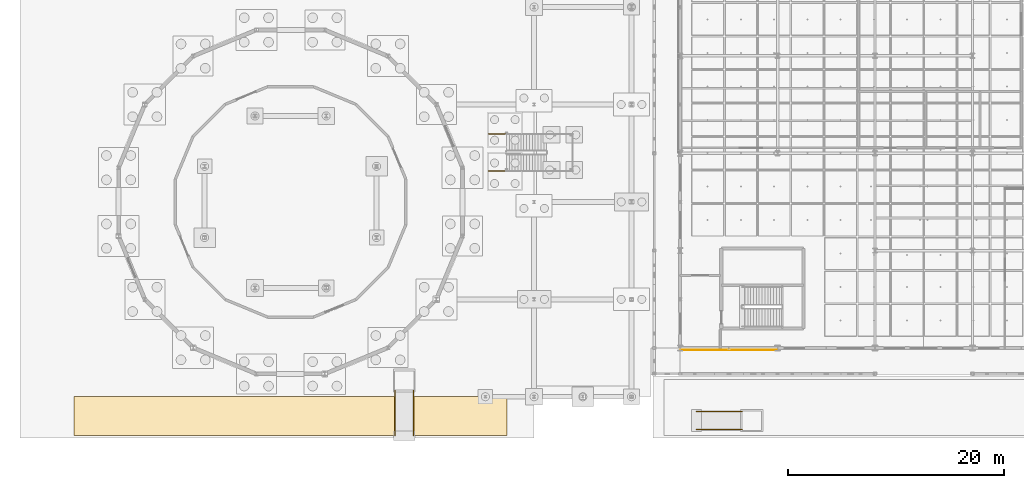
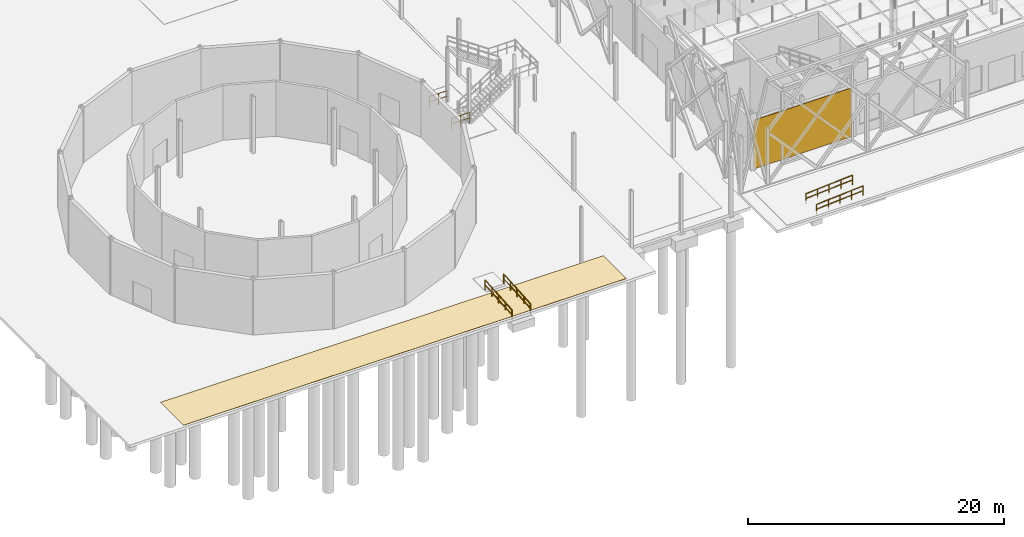
# One storey, part 161 of 180: 6 railings, 2 coverings.
"""IFC4 building model written with IfcOpenShell, lengths in metres."""

from ifc_helpers import new_model, si_unit, direction, frame, origin, origin_2d, place, context, subcontext, project, spatial, rectangle, circle, extrude, material, layer, layer_set, type_object, element, save


model = new_model("IFC4")

# Units and contexts
model_context = context("Model", 3, precision=1e-05, world=origin(), true_north=direction((0.0, 1.0)))
body_context = subcontext(model_context, "Body", "Model", "MODEL_VIEW")
ifc_project = project(units=[si_unit("LENGTHUNIT", "METRE"), si_unit("AREAUNIT", "SQUARE_METRE"), si_unit("VOLUMEUNIT", "CUBIC_METRE"), si_unit("PLANEANGLEUNIT", "RADIAN"), si_unit("MASSUNIT", "GRAM", prefix="KILO"), si_unit("THERMODYNAMICTEMPERATUREUNIT", "KELVIN"), si_unit("POWERUNIT", "WATT")], contexts=[model_context])

# Site, building, storey
site_placement = place(None, origin())
site = spatial("IfcSite", under=ifc_project, at=site_placement, CompositionType="ELEMENT")
building_placement = place(site_placement, origin())
building = spatial("IfcBuilding", under=site, at=building_placement, Name="Tallowbark Science Centre", CompositionType="ELEMENT")
storey_placement = place(building_placement, origin())
storey = spatial("IfcBuildingStorey", under=building, at=storey_placement, Name="L00", CompositionType="ELEMENT", Elevation=0.0)

# Coverings
ifc_material_1 = material(Name="Honed Hawkesbury Sandstone Civic Paving", Category="masonry")
ifc_layer_1 = layer(ifc_material_1, 0.0400390625)
ifc_layer_set_1 = layer_set([ifc_layer_1], Name="Honed Hawkesbury Sandstone Civic Paving")
covering_type_1 = type_object("IfcCoveringType", Name="COV-STN-PAV", PredefinedType="FLOORING", material=ifc_layer_set_1)
covering_1_placement = place(storey_placement, frame((22.5, -1.800048828125, 0.0), z_axis=(0.0, 0.0, 1.0), x_axis=(1.0, 0.0, 0.0)))
element("IfcCovering", 1, at=covering_1_placement, inside=storey, type_object=covering_type_1, Name="Hawkesbury Sandstone Paving PAV-PARK-SOUTH", PredefinedType="FLOORING", context=body_context, shape_type="SweptSolid", body=[
    extrude(rectangle(XDim=40.0, YDim=3.60009765625, at=origin_2d()), origin(), (0.0, 0.0, 1.0), 0.02001953125),
])
ifc_material_2 = material(Name="Spotted Gum Hardwood Architectural Rainscreen", Category="wood")
ifc_layer_2 = layer(ifc_material_2, 0.0419921875)
ifc_layer_set_2 = layer_set([ifc_layer_2], Name="Spotted Gum Hardwood Architectural Rainscreen")
covering_type_2 = type_object("IfcCoveringType", Name="COV-TIM-CLAD", PredefinedType="CLADDING", material=ifc_layer_set_2)
covering_2_placement = place(storey_placement, frame((63.0, 4.33154296875, 0.0498046875), z_axis=(0.0, 0.0, 1.0), x_axis=(1.0, 0.0, 0.0)))
element("IfcCovering", 2, at=covering_2_placement, inside=storey, type_object=covering_type_2, Name="Architectural Rainscreen CUB-S-L00-0", PredefinedType="CLADDING", context=body_context, shape_type="SweptSolid", body=[
    extrude(rectangle(XDim=8.8798828125, YDim=0.0419921875, at=origin_2d()), origin(), (0.0, 0.0, 1.0), 4.646240234375),
])

# Railings
ifc_material_3 = material(Name="Galvanised Painted Steel and Laminated Glass Balustrade", Category="steel")
ifc_layer_3 = layer(ifc_material_3, 0.070068359375)
ifc_layer_set_3 = layer_set([ifc_layer_3], Name="Galvanised Painted Steel and Laminated Glass Balustrade")
railing_type_1 = type_object("IfcRailingType", Name="RLG-BAL-1150", PredefinedType="BALUSTRADE", material=ifc_layer_set_3)
for number, where, name in (
    (3, (40.800048828125, 20.85009765625, 0.0), "L00 ST-08 stair guard 8"),
    (4, (40.800048828125, 24.2900390625, 0.0), "L00 ST-08 stair guard 9"),
):
    element("IfcRailing", number, at=place(storey_placement, frame(where)), inside=storey, type_object=railing_type_1, Name=name, PredefinedType="BALUSTRADE", context=body_context, shape_type="SweptSolid", body=[
        extrude(circle(Radius=0.02392578125, at=origin_2d()), frame((0.0, 0.0, 1.076171875), z_axis=(1.0, 0.0, 0.0), x_axis=(0.0, 1.0, 0.0)), (0.0, 0.0, 1.0), 1.64990234375),
        extrude(circle(Radius=0.02392578125, at=origin_2d()), frame((0.0, 0.0, 0.550048828125), z_axis=(1.0, 0.0, 0.0), x_axis=(0.0, 1.0, 0.0)), (0.0, 0.0, 1.0), 1.64990234375),
        extrude(circle(Radius=0.02099609375, at=origin_2d()), origin(), (0.0, 0.0, 1.0), 1.052001953125),
        extrude(circle(Radius=0.02099609375, at=origin_2d()), frame((0.824951171875, 0.0, 0.0)), (0.0, 0.0, 1.0), 1.052001953125),
        extrude(circle(Radius=0.02099609375, at=origin_2d()), frame((1.64990234375, 0.0, 0.0)), (0.0, 0.0, 1.0), 1.052001953125),
    ])
ifc_material_4 = material(Name="Brushed Grade 316 Stainless Steel Handrail", Category="steel")
ifc_layer_4 = layer(ifc_material_4, 0.050048828125)
ifc_layer_set_4 = layer_set([ifc_layer_4], Name="Brushed Grade 316 Stainless Steel Handrail")
railing_type_2 = type_object("IfcRailingType", Name="RLG-HDR-950", PredefinedType="HANDRAIL", material=ifc_layer_set_4)
for number, where, name in (
    (5, (60.0, -1.360107421875, -0.300048828125), "Ramp Handrail RMP-01 L"),
    (6, (60.0, -3.0400390625, -0.300048828125), "Ramp Handrail RMP-01 R"),
):
    element("IfcRailing", number, at=place(storey_placement, frame(where)), inside=storey, type_object=railing_type_2, Name=name, PredefinedType="HANDRAIL", context=body_context, shape_type="SweptSolid", body=[
        extrude(circle(Radius=0.02392578125, at=origin_2d()), frame((0.0, 0.0, 0.92578125), z_axis=(0.997457816785, 0.0, 0.071259411546), x_axis=(0.0, 1.0, 0.0)), (0.0, 0.0, 1.0), 4.210693359375),
        extrude(circle(Radius=0.02392578125, at=origin_2d()), frame((0.0, 0.0, 0.47509765625), z_axis=(0.997457816785, 0.0, 0.071259411546), x_axis=(0.0, 1.0, 0.0)), (0.0, 0.0, 1.0), 4.210693359375),
        extrude(circle(Radius=0.02099609375, at=origin_2d()), origin(), (0.0, 0.0, 1.0), 0.90185546875),
        extrude(circle(Radius=0.02099609375, at=origin_2d()), frame((1.050048828125, 0.0, 0.074951171875)), (0.0, 0.0, 1.0), 0.90185546875),
        extrude(circle(Radius=0.02099609375, at=origin_2d()), frame((2.10009765625, 0.0, 0.14990234375)), (0.0, 0.0, 1.0), 0.90185546875),
        extrude(circle(Radius=0.02099609375, at=origin_2d()), frame((3.14990234375, 0.0, 0.22509765625)), (0.0, 0.0, 1.0), 0.90185546875),
        extrude(circle(Radius=0.02099609375, at=origin_2d()), frame((4.199951171875, 0.0, 0.300048828125)), (0.0, 0.0, 1.0), 0.90185546875),
    ])
for number, where, name in (
    (7, (32.159912109375, -3.60009765625, -0.300048828125), "Ramp Handrail RMP-02 L"),
    (8, (33.840087890625, -3.60009765625, -0.300048828125), "Ramp Handrail RMP-02 R"),
):
    element("IfcRailing", number, at=place(storey_placement, frame(where)), inside=storey, type_object=railing_type_2, Name=name, PredefinedType="HANDRAIL", context=body_context, shape_type="SweptSolid", body=[
        extrude(circle(Radius=0.02392578125, at=origin_2d()), frame((0.0, 0.0, 0.92578125), z_axis=(0.0, 0.997458111185, 0.071255290551), x_axis=(-1.0, 0.0, 0.0)), (0.0, 0.0, 1.0), 4.2109375),
        extrude(circle(Radius=0.02392578125, at=origin_2d()), frame((0.0, 0.0, 0.47509765625), z_axis=(0.0, 0.997458111185, 0.071255290551), x_axis=(-1.0, 0.0, 0.0)), (0.0, 0.0, 1.0), 4.2109375),
        extrude(circle(Radius=0.02099609375, at=origin_2d()), origin(), (0.0, 0.0, 1.0), 0.90185546875),
        extrude(circle(Radius=0.02099609375, at=origin_2d()), frame((0.0, 1.050048828125, 0.074951171875)), (0.0, 0.0, 1.0), 0.90185546875),
        extrude(circle(Radius=0.02099609375, at=origin_2d()), frame((0.0, 2.10009765625, 0.14990234375)), (0.0, 0.0, 1.0), 0.90185546875),
        extrude(circle(Radius=0.02099609375, at=origin_2d()), frame((0.0, 3.150146484375, 0.22509765625)), (0.0, 0.0, 1.0), 0.90185546875),
        extrude(circle(Radius=0.02099609375, at=origin_2d()), frame((0.0, 4.2001953125, 0.300048828125)), (0.0, 0.0, 1.0), 0.90185546875),
    ])

save(model, "model.ifc")
